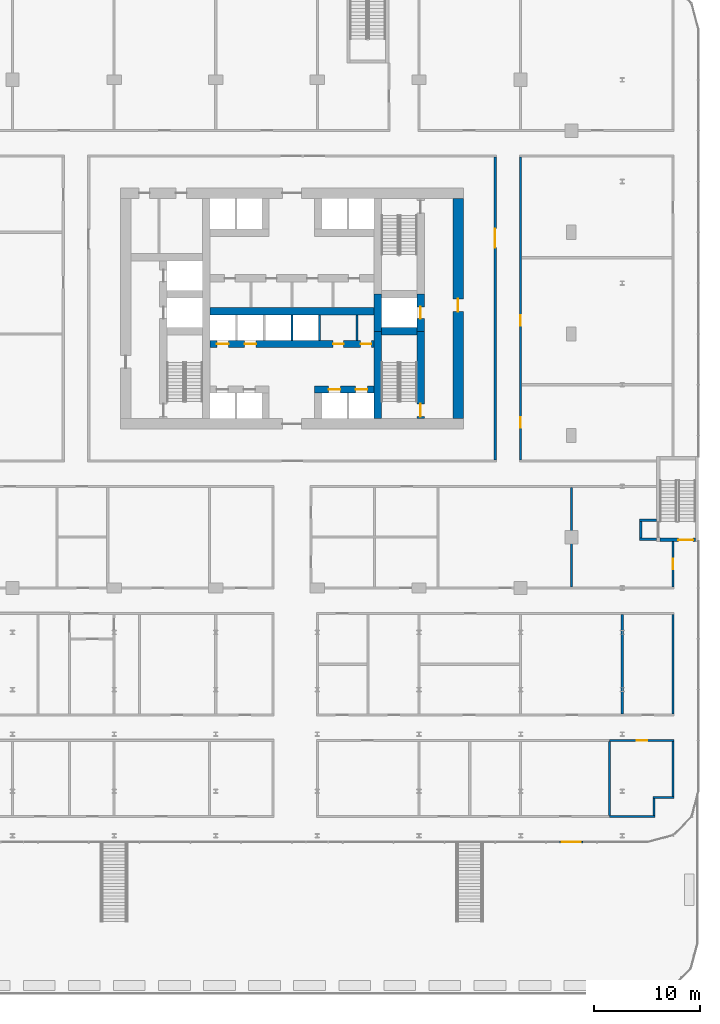
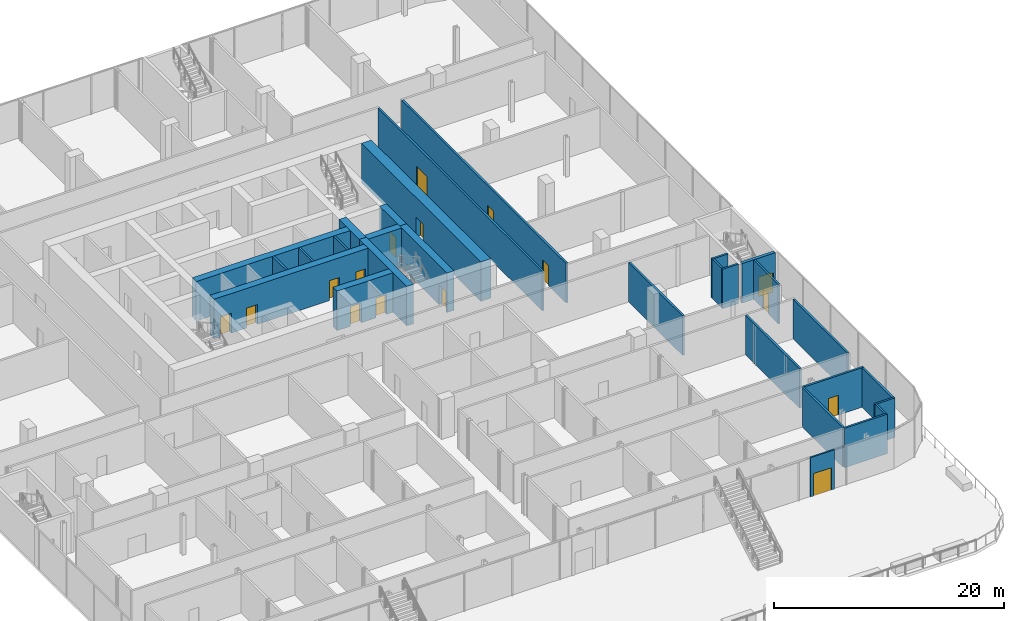
# One storey, part 32 of 43: 29 walls, 16 doors, 16 openings.
"""IFC4 building model written with IfcOpenShell, lengths in metres."""

from ifc_helpers import new_model, si_unit, direction, frame, frame_2d, origin, place, context, subcontext, project, spatial, rectangle, extrude, material, layer, layer_set, type_object, element, fill, save


model = new_model("IFC4")

# Units and contexts
model_context = context("Model", 3, precision=1e-05, world=origin(), true_north=direction((0.0, 1.0)))
body_context = subcontext(model_context, "Body", "Model", "MODEL_VIEW")
ifc_project = project(units=[si_unit("LENGTHUNIT", "METRE"), si_unit("AREAUNIT", "SQUARE_METRE"), si_unit("VOLUMEUNIT", "CUBIC_METRE"), si_unit("PLANEANGLEUNIT", "RADIAN"), si_unit("MASSUNIT", "GRAM", prefix="KILO")], contexts=[model_context])

# Site, building, storey
site_placement = place(None, origin())
site = spatial("IfcSite", under=ifc_project, at=site_placement, CompositionType="ELEMENT")
building_placement = place(site_placement, origin())
building = spatial("IfcBuilding", under=site, at=building_placement, Name="Madar Terraces", CompositionType="ELEMENT")
storey_placement = place(building_placement, frame((0.0, 0.0, 10.5)))
storey = spatial("IfcBuildingStorey", under=building, at=storey_placement, Name="L02", CompositionType="ELEMENT", Elevation=10.5)

# Walls
ifc_material_1 = material(Name="Concrete C80/95", Category="concrete")
ifc_layer_1 = layer(ifc_material_1, 0.699951171875)
ifc_layer_set_1 = layer_set([ifc_layer_1], Name="Concrete C80/95 (CIW1 RC wall 700)")
wall_type_1 = type_object("IfcWallType", Name="CIW1 RC wall 700", PredefinedType="SHEAR", material=ifc_layer_set_1)
wall_1_placement = place(storey_placement, frame((39.300048828125, 16.0, 0.0), z_axis=(0.0, 0.0, 1.0), x_axis=(0.0, 1.0, 0.0)))
element("IfcWall", 1, at=wall_1_placement, inside=storey, type_object=wall_type_1, Name="CORE SHAFT WALL", PredefinedType="SHEAR", context=body_context, shape_type="SweptSolid", body=[
    extrude(rectangle(XDim=8.25, YDim=0.699951171875, at=frame_2d((4.125, 0.0))), origin(), (0.0, 0.0, 1.0), 4.199951171875),
])
wall_2_placement = place(storey_placement, frame((39.300048828125, 24.25, 0.0), z_axis=(0.0, 0.0, 1.0), x_axis=(0.0, 1.0, 0.0)))
element("IfcWall", 2, at=wall_2_placement, inside=storey, type_object=wall_type_1, Name="CORE SHAFT WALL", PredefinedType="SHEAR", context=body_context, shape_type="SweptSolid", body=[
    extrude(rectangle(XDim=3.5, YDim=0.699951171875, at=frame_2d((1.75, 0.0))), origin(), (0.0, 0.0, 1.0), 4.199951171875),
])

# Wall, opening, door
wall_3_placement = place(storey_placement, frame((43.35009765625, 16.0, 0.0), z_axis=(0.0, 0.0, 1.0), x_axis=(0.0, 1.0, 0.0)))
wall_3 = element("IfcWall", 3, at=wall_3_placement, inside=storey, type_object=wall_type_1, Name="CORE SHAFT WALL", PredefinedType="SHEAR", context=body_context, shape_type="SweptSolid", body=[
    extrude(rectangle(XDim=8.25, YDim=0.699951171875, at=frame_2d((4.125, 0.0))), origin(), (0.0, 0.0, 1.0), 4.199951171875),
])
opening_1_placement = place(wall_3_placement, frame((0.199951171875, 0.0, 0.0)))
opening_1 = element("IfcOpeningElement", 4, at=opening_1_placement, cuts=wall_3, Name="Opening SD1", PredefinedType="OPENING", context=body_context, shape_type="SweptSolid", body=[
    extrude(rectangle(XDim=1.199951171875, YDim=2.10009765625, at=frame_2d((0.60009765625, 1.050048828125))), frame((0.0, 0.35986328125, 0.0), z_axis=(0.0, -1.0, 0.0), x_axis=(1.0, 0.0, 0.0)), (0.0, 0.0, 1.0), 0.719970703125),
])
ifc_material_2 = material(Name="Steel door leaf", Category="steel")
door_type_1 = type_object("IfcDoorType", Name="Stair door 1200 x 2100", OperationType="NOTDEFINED", PredefinedType="DOOR", material=ifc_material_2)
door_1_placement = place(opening_1_placement, origin())
door_1 = element("IfcDoor", 5, at=door_1_placement, inside=storey, type_object=door_type_1, Name="STAIR DOOR", OperationType="SINGLE_SWING_LEFT", OverallHeight=2.10009765625, OverallWidth=1.199951171875, PredefinedType="DOOR", context=body_context, shape_type="SweptSolid", body=[
    extrude(rectangle(XDim=1.199951171875, YDim=2.10009765625, at=frame_2d((0.60009765625, 1.050048828125))), frame((0.0, 0.02490234375, 0.0), z_axis=(0.0, -1.0, 0.0), x_axis=(1.0, 0.0, 0.0)), (0.0, 0.0, 1.0), 0.050048828125),
])
fill(opening_1, door_1)

wall_4_placement = place(storey_placement, frame((43.35009765625, 24.25, 0.0), z_axis=(0.0, 0.0, 1.0), x_axis=(0.0, 1.0, 0.0)))
wall_4 = element("IfcWall", 6, at=wall_4_placement, inside=storey, type_object=wall_type_1, Name="CORE SHAFT WALL", PredefinedType="SHEAR", context=body_context, shape_type="SweptSolid", body=[
    extrude(rectangle(XDim=3.5, YDim=0.699951171875, at=frame_2d((1.75, 0.0))), origin(), (0.0, 0.0, 1.0), 4.199951171875),
])
opening_2_placement = place(wall_4_placement, frame((1.199951171875, 0.0, 0.0)))
opening_2 = element("IfcOpeningElement", 7, at=opening_2_placement, cuts=wall_4, Name="Opening LD", PredefinedType="OPENING", context=body_context, shape_type="SweptSolid", body=[
    extrude(rectangle(XDim=1.10009765625, YDim=2.10009765625, at=frame_2d((0.550048828125, 1.050048828125))), frame((0.0, 0.35986328125, 0.0), z_axis=(0.0, -1.0, 0.0), x_axis=(1.0, 0.0, 0.0)), (0.0, 0.0, 1.0), 0.719970703125),
])
ifc_material_3 = material(Name="Stainless steel panel", Category="steel")
door_type_2 = type_object("IfcDoorType", Name="Lift landing door 1100 x 2100", OperationType="DOUBLE_DOOR_SLIDING", PredefinedType="DOOR", material=ifc_material_3)
door_2_placement = place(opening_2_placement, origin())
door_2 = element("IfcDoor", 8, at=door_2_placement, inside=storey, type_object=door_type_2, Name="LIFT LANDING DOOR", OperationType="DOUBLE_DOOR_SLIDING", OverallHeight=2.10009765625, OverallWidth=1.10009765625, PredefinedType="DOOR", context=body_context, shape_type="SweptSolid", body=[
    extrude(rectangle(XDim=1.10009765625, YDim=2.10009765625, at=frame_2d((0.550048828125, 1.050048828125))), frame((0.0, 0.02490234375, 0.0), z_axis=(0.0, -1.0, 0.0), x_axis=(1.0, 0.0, 0.0)), (0.0, 0.0, 1.0), 0.050048828125),
])
fill(opening_2, door_2)

# Wall
wall_5_placement = place(storey_placement, frame((39.64990234375, 24.25, 0.0), z_axis=(0.0, 0.0, 1.0), x_axis=(1.0, 0.0, 0.0)))
element("IfcWall", 9, at=wall_5_placement, inside=storey, type_object=wall_type_1, Name="CORE SHAFT WALL", PredefinedType="SHEAR", context=body_context, shape_type="SweptSolid", body=[
    extrude(rectangle(XDim=3.35009765625, YDim=0.699951171875, at=frame_2d((1.675048828125, 0.0))), origin(), (0.0, 0.0, 1.0), 4.199951171875),
])

# Wall, openings, doors
wall_6_placement = place(storey_placement, frame((33.35009765625, 18.75, 0.0), z_axis=(0.0, 0.0, 1.0), x_axis=(1.0, 0.0, 0.0)))
wall_6 = element("IfcWall", 10, at=wall_6_placement, inside=storey, type_object=wall_type_1, Name="CORE SHAFT WALL", PredefinedType="SHEAR", context=body_context, shape_type="SweptSolid", body=[
    extrude(rectangle(XDim=5.599853515625, YDim=0.699951171875, at=frame_2d((2.7998046875, 0.0))), origin(), (0.0, 0.0, 1.0), 4.199951171875),
])
opening_3_placement = place(wall_6_placement, frame((1.324951171875, 0.0, 0.0)))
opening_3 = element("IfcOpeningElement", 11, at=opening_3_placement, cuts=wall_6, Name="Opening LD", PredefinedType="OPENING", context=body_context, shape_type="SweptSolid", body=[
    extrude(rectangle(XDim=1.10009765625, YDim=2.10009765625, at=frame_2d((0.550048828125, 1.050048828125))), frame((0.0, 0.35986328125, 0.0), z_axis=(0.0, -1.0, 0.0), x_axis=(1.0, 0.0, 0.0)), (0.0, 0.0, 1.0), 0.719970703125),
])
opening_4_placement = place(wall_6_placement, frame((3.875, 0.0, 0.0)))
opening_4 = element("IfcOpeningElement", 12, at=opening_4_placement, cuts=wall_6, Name="Opening LD", PredefinedType="OPENING", context=body_context, shape_type="SweptSolid", body=[
    extrude(rectangle(XDim=1.10009765625, YDim=2.10009765625, at=frame_2d((0.550048828125, 1.050048828125))), frame((0.0, 0.35986328125, 0.0), z_axis=(0.0, -1.0, 0.0), x_axis=(1.0, 0.0, 0.0)), (0.0, 0.0, 1.0), 0.719970703125),
])
door_3_placement = place(opening_3_placement, origin())
door_3 = element("IfcDoor", 13, at=door_3_placement, inside=storey, type_object=door_type_2, Name="LIFT LANDING DOOR", OperationType="DOUBLE_DOOR_SLIDING", OverallHeight=2.10009765625, OverallWidth=1.10009765625, PredefinedType="DOOR", context=body_context, shape_type="SweptSolid", body=[
    extrude(rectangle(XDim=1.10009765625, YDim=2.10009765625, at=frame_2d((0.550048828125, 1.050048828125))), frame((0.0, 0.02490234375, 0.0), z_axis=(0.0, -1.0, 0.0), x_axis=(1.0, 0.0, 0.0)), (0.0, 0.0, 1.0), 0.050048828125),
])
fill(opening_3, door_3)
door_4_placement = place(opening_4_placement, origin())
door_4 = element("IfcDoor", 14, at=door_4_placement, inside=storey, type_object=door_type_2, Name="LIFT LANDING DOOR", OperationType="DOUBLE_DOOR_SLIDING", OverallHeight=2.10009765625, OverallWidth=1.10009765625, PredefinedType="DOOR", context=body_context, shape_type="SweptSolid", body=[
    extrude(rectangle(XDim=1.10009765625, YDim=2.10009765625, at=frame_2d((0.550048828125, 1.050048828125))), frame((0.0, 0.02490234375, 0.0), z_axis=(0.0, -1.0, 0.0), x_axis=(1.0, 0.0, 0.0)), (0.0, 0.0, 1.0), 0.050048828125),
])
fill(opening_4, door_4)

wall_7_placement = place(storey_placement, frame((23.449951171875, 23.050048828125, 0.0), z_axis=(0.0, 0.0, 1.0), x_axis=(1.0, 0.0, 0.0)))
wall_7 = element("IfcWall", 15, at=wall_7_placement, inside=storey, type_object=wall_type_1, Name="CORE SHAFT WALL", PredefinedType="SHEAR", context=body_context, shape_type="SweptSolid", body=[
    extrude(rectangle(XDim=15.5, YDim=0.699951171875, at=frame_2d((7.75, 0.0))), origin(), (0.0, 0.0, 1.0), 4.199951171875),
])
opening_5_placement = place(wall_7_placement, frame((0.658447265625, 0.0, 0.0)))
opening_5 = element("IfcOpeningElement", 16, at=opening_5_placement, cuts=wall_7, Name="Opening LD", PredefinedType="OPENING", context=body_context, shape_type="SweptSolid", body=[
    extrude(rectangle(XDim=1.10009765625, YDim=2.10009765625, at=frame_2d((0.550048828125, 1.050048828125))), frame((0.0, 0.35986328125, 0.0), z_axis=(0.0, -1.0, 0.0), x_axis=(1.0, 0.0, 0.0)), (0.0, 0.0, 1.0), 0.719970703125),
])
opening_6_placement = place(wall_7_placement, frame((3.27490234375, 0.0, 0.0)))
opening_6 = element("IfcOpeningElement", 17, at=opening_6_placement, cuts=wall_7, Name="Opening LD", PredefinedType="OPENING", context=body_context, shape_type="SweptSolid", body=[
    extrude(rectangle(XDim=1.10009765625, YDim=2.10009765625, at=frame_2d((0.550048828125, 1.050048828125))), frame((0.0, 0.35986328125, 0.0), z_axis=(0.0, -1.0, 0.0), x_axis=(1.0, 0.0, 0.0)), (0.0, 0.0, 1.0), 0.719970703125),
])
opening_7_placement = place(wall_7_placement, frame((11.6279296875, 0.0, 0.0)))
opening_7 = element("IfcOpeningElement", 18, at=opening_7_placement, cuts=wall_7, Name="Opening KD2", PredefinedType="OPENING", context=body_context, shape_type="SweptSolid", body=[
    extrude(rectangle(XDim=1.0, YDim=2.10009765625, at=frame_2d((0.5, 1.050048828125))), frame((0.0, 0.35986328125, 0.0), z_axis=(0.0, -1.0, 0.0), x_axis=(1.0, 0.0, 0.0)), (0.0, 0.0, 1.0), 0.719970703125),
])
opening_8_placement = place(wall_7_placement, frame((14.24462890625, 0.0, 0.0)))
opening_8 = element("IfcOpeningElement", 19, at=opening_8_placement, cuts=wall_7, Name="Opening KD2", PredefinedType="OPENING", context=body_context, shape_type="SweptSolid", body=[
    extrude(rectangle(XDim=1.0, YDim=2.10009765625, at=frame_2d((0.5, 1.050048828125))), frame((0.0, 0.35986328125, 0.0), z_axis=(0.0, -1.0, 0.0), x_axis=(1.0, 0.0, 0.0)), (0.0, 0.0, 1.0), 0.719970703125),
])
door_5_placement = place(opening_5_placement, origin())
door_5 = element("IfcDoor", 20, at=door_5_placement, inside=storey, type_object=door_type_2, Name="LIFT LANDING DOOR", OperationType="DOUBLE_DOOR_SLIDING", OverallHeight=2.10009765625, OverallWidth=1.10009765625, PredefinedType="DOOR", context=body_context, shape_type="SweptSolid", body=[
    extrude(rectangle(XDim=1.10009765625, YDim=2.10009765625, at=frame_2d((0.550048828125, 1.050048828125))), frame((0.0, 0.02490234375, 0.0), z_axis=(0.0, -1.0, 0.0), x_axis=(1.0, 0.0, 0.0)), (0.0, 0.0, 1.0), 0.050048828125),
])
fill(opening_5, door_5)
door_6_placement = place(opening_6_placement, origin())
door_6 = element("IfcDoor", 21, at=door_6_placement, inside=storey, type_object=door_type_2, Name="LIFT LANDING DOOR", OperationType="DOUBLE_DOOR_SLIDING", OverallHeight=2.10009765625, OverallWidth=1.10009765625, PredefinedType="DOOR", context=body_context, shape_type="SweptSolid", body=[
    extrude(rectangle(XDim=1.10009765625, YDim=2.10009765625, at=frame_2d((0.550048828125, 1.050048828125))), frame((0.0, 0.02490234375, 0.0), z_axis=(0.0, -1.0, 0.0), x_axis=(1.0, 0.0, 0.0)), (0.0, 0.0, 1.0), 0.050048828125),
])
fill(opening_6, door_6)
ifc_material_4 = material(Name="Steel door leaf", Category="steel")
door_type_3 = type_object("IfcDoorType", Name="Service room door 1000 x 2100", OperationType="NOTDEFINED", PredefinedType="DOOR", material=ifc_material_4)
door_7_placement = place(opening_7_placement, frame((1.0, 0.0, 0.0), z_axis=(0.0, 0.0, 1.0), x_axis=(-1.0, 0.0, 0.0)))
door_7 = element("IfcDoor", 22, at=door_7_placement, inside=storey, type_object=door_type_3, Name="SERVICE ROOM DOOR", OperationType="SINGLE_SWING_LEFT", OverallHeight=2.10009765625, OverallWidth=1.0, PredefinedType="DOOR", context=body_context, shape_type="SweptSolid", body=[
    extrude(rectangle(XDim=1.0, YDim=2.10009765625, at=frame_2d((0.5, 1.050048828125))), frame((0.0, 0.02490234375, 0.0), z_axis=(0.0, -1.0, 0.0), x_axis=(1.0, 0.0, 0.0)), (0.0, 0.0, 1.0), 0.050048828125),
])
fill(opening_7, door_7)
door_8_placement = place(opening_8_placement, frame((1.0, 0.0, 0.0), z_axis=(0.0, 0.0, 1.0), x_axis=(-1.0, 0.0, 0.0)))
door_8 = element("IfcDoor", 23, at=door_8_placement, inside=storey, type_object=door_type_3, Name="SERVICE ROOM DOOR", OperationType="SINGLE_SWING_RIGHT", OverallHeight=2.10009765625, OverallWidth=1.0, PredefinedType="DOOR", context=body_context, shape_type="SweptSolid", body=[
    extrude(rectangle(XDim=1.0, YDim=2.10009765625, at=frame_2d((0.5, 1.050048828125))), frame((0.0, 0.02490234375, 0.0), z_axis=(0.0, -1.0, 0.0), x_axis=(1.0, 0.0, 0.0)), (0.0, 0.0, 1.0), 0.050048828125),
])
fill(opening_8, door_8)

# Wall
wall_8_placement = place(storey_placement, frame((23.449951171875, 26.14990234375, 0.0), z_axis=(0.0, 0.0, 1.0), x_axis=(1.0, 0.0, 0.0)))
element("IfcWall", 24, at=wall_8_placement, inside=storey, type_object=wall_type_1, Name="CORE SHAFT WALL", PredefinedType="SHEAR", context=body_context, shape_type="SweptSolid", body=[
    extrude(rectangle(XDim=15.5, YDim=0.699951171875, at=frame_2d((7.75, 0.0))), origin(), (0.0, 0.0, 1.0), 4.199951171875),
])

# Wall, opening, door
ifc_material_5 = material(Name="Concrete C80/95", Category="concrete")
ifc_layer_2 = layer(ifc_material_5, 1.0)
ifc_layer_set_2 = layer_set([ifc_layer_2], Name="Concrete C80/95 (CRW1 RC wall 1000)")
wall_type_2 = type_object("IfcWallType", Name="CRW1 RC wall 1000", PredefinedType="SHEAR", material=ifc_layer_set_2)
wall_9_placement = place(storey_placement, frame((46.89990234375, 16.0, 0.0), z_axis=(0.0, 0.0, 1.0), x_axis=(0.0, 1.0, 0.0)))
wall_9 = element("IfcWall", 25, at=wall_9_placement, inside=storey, type_object=wall_type_2, Name="CORE OUTER WALL", PredefinedType="SHEAR", context=body_context, shape_type="SweptSolid", body=[
    extrude(rectangle(XDim=20.800048828125, YDim=1.0, at=frame_2d((10.39990234375, 0.0))), origin(), (0.0, 0.0, 1.0), 4.199951171875),
])
opening_9_placement = place(wall_9_placement, frame((10.10009765625, 0.0, 0.0)))
opening_9 = element("IfcOpeningElement", 26, at=opening_9_placement, cuts=wall_9, Name="Opening SD1", PredefinedType="OPENING", context=body_context, shape_type="SweptSolid", body=[
    extrude(rectangle(XDim=1.199951171875, YDim=2.10009765625, at=frame_2d((0.60009765625, 1.050048828125))), frame((0.0, 0.510009765625, 0.0), z_axis=(0.0, -1.0, 0.0), x_axis=(1.0, 0.0, 0.0)), (0.0, 0.0, 1.0), 1.02001953125),
])
door_9_placement = place(opening_9_placement, origin())
door_9 = element("IfcDoor", 27, at=door_9_placement, inside=storey, type_object=door_type_1, Name="STAIR DOOR", OperationType="SINGLE_SWING_RIGHT", OverallHeight=2.10009765625, OverallWidth=1.199951171875, PredefinedType="DOOR", context=body_context, shape_type="SweptSolid", body=[
    extrude(rectangle(XDim=1.199951171875, YDim=2.10009765625, at=frame_2d((0.60009765625, 1.050048828125))), frame((0.0, 0.02490234375, 0.0), z_axis=(0.0, -1.0, 0.0), x_axis=(1.0, 0.0, 0.0)), (0.0, 0.0, 1.0), 0.050048828125),
])
fill(opening_9, door_9)

# Walls
ifc_material_6 = material(Name="Masonry blockwork", Category="masonry")
ifc_layer_3 = layer(ifc_material_6, 0.199951171875)
ifc_layer_set_3 = layer_set([ifc_layer_3], Name="Core partition 200 blockwork")
wall_type_3 = type_object("IfcWallType", Name="Core partition 200 blockwork", PredefinedType="PARTITIONING", material=ifc_layer_set_3)
wall_10_placement = place(storey_placement, frame((37.33935546875, 23.39990234375, 0.0), z_axis=(0.0, 0.0, 1.0), x_axis=(0.0, 1.0, 0.0)))
element("IfcWall", 28, at=wall_10_placement, inside=storey, type_object=wall_type_3, Name="SERVICE ROOM PARTITION", PredefinedType="PARTITIONING", context=body_context, shape_type="SweptSolid", body=[
    extrude(rectangle(XDim=2.400146484375, YDim=0.199951171875, at=frame_2d((1.2001953125, 0.0))), origin(), (0.0, 0.0, 1.0), 4.199951171875),
])
ifc_material_7 = material(Name="Concrete C40/50", Category="concrete")
ifc_layer_4 = layer(ifc_material_7, 0.199951171875)
ifc_layer_set_4 = layer_set([ifc_layer_4], Name="Core shaft dividing wall 200 C40/50")
wall_type_4 = type_object("IfcWallType", Name="Core shaft dividing wall 200 C40/50", PredefinedType="SOLIDWALL", material=ifc_layer_set_4)
for number, where, z_axis, x_axis, name in (
    (29, (31.199951171875, 23.39990234375, 0.0), (0.0, 0.0, 1.0), (0.0, 1.0, 0.0), "SHAFT DIVIDING WALL"),
    (30, (33.816650390625, 23.39990234375, 0.0), (0.0, 0.0, 1.0), (0.0, 1.0, 0.0), "SHAFT DIVIDING WALL"),
):
    element("IfcWall", number, at=place(storey_placement, frame(where, z_axis=z_axis, x_axis=x_axis)), inside=storey, type_object=wall_type_4, Name=name, PredefinedType="SOLIDWALL", context=body_context, shape_type="SweptSolid", body=[
        extrude(rectangle(XDim=2.400146484375, YDim=0.199951171875, at=frame_2d((1.2001953125, 0.0))), origin(), (0.0, 0.0, 1.0), 4.199951171875),
    ])

# Wall, opening, door
ifc_material_8 = material(Name="Aluminium composite panel, black, over insulated backing", Category="aluminium")
ifc_layer_5 = layer(ifc_material_8, 0.14990234375)
ifc_layer_set_5 = layer_set([ifc_layer_5], Name="Facade bay panel 150")
wall_type_5 = type_object("IfcWallType", Name="Facade bay panel 150", PredefinedType="SOLIDWALL", material=ifc_layer_set_5)
wall_11_placement = place(storey_placement, frame((56.39990234375, -24.0, 0.0), z_axis=(0.0, 0.0, 1.0), x_axis=(1.0, 0.0, 0.0)))
wall_11 = element("IfcWall", 31, at=wall_11_placement, inside=storey, type_object=wall_type_5, Name="Facade bay panel", PredefinedType="SOLIDWALL", context=body_context, shape_type="SweptSolid", body=[
    extrude(rectangle(XDim=2.400146484375, YDim=0.14990234375, at=frame_2d((1.2001953125, 0.0))), origin(), (0.0, 0.0, 1.0), 4.199951171875),
])
opening_10_placement = place(wall_11_placement, frame((0.300048828125, 0.0, 0.0)))
opening_10 = element("IfcOpeningElement", 32, at=opening_10_placement, cuts=wall_11, Name="Opening ED1", PredefinedType="OPENING", context=body_context, shape_type="SweptSolid", body=[
    extrude(rectangle(XDim=1.800048828125, YDim=2.39990234375, at=frame_2d((0.89990234375, 1.199951171875))), frame((0.0, 0.0849609375, 0.0), z_axis=(0.0, -1.0, 0.0), x_axis=(1.0, 0.0, 0.0)), (0.0, 0.0, 1.0), 0.169921875),
])
ifc_material_9 = material(Name="Glass, clear, with black aluminium frame", Category="aluminium")
door_type_4 = type_object("IfcDoorType", Name="Balcony and terrace sliding door 1800 x 2400", OperationType="SLIDING_TO_LEFT", PredefinedType="DOOR", material=ifc_material_9)
door_10_placement = place(opening_10_placement, origin())
door_10 = element("IfcDoor", 33, at=door_10_placement, inside=storey, type_object=door_type_4, Name="Balcony door", OperationType="SLIDING_TO_LEFT", OverallHeight=2.39990234375, OverallWidth=1.800048828125, PredefinedType="DOOR", context=body_context, shape_type="SweptSolid", body=[
    extrude(rectangle(XDim=1.800048828125, YDim=2.39990234375, at=frame_2d((0.89990234375, 1.199951171875))), frame((0.0, 0.02490234375, 0.0), z_axis=(0.0, -1.0, 0.0), x_axis=(1.0, 0.0, 0.0)), (0.0, 0.0, 1.0), 0.050048828125),
])
fill(opening_10, door_10)

# Walls
ifc_material_10 = material(Name="Blockwork", Category="masonry")
ifc_layer_6 = layer(ifc_material_10, 0.199951171875)
ifc_layer_set_6 = layer_set([ifc_layer_6], Name="Partition 200 EI 120")
wall_type_6 = type_object("IfcWallType", Name="Partition 200 EI 120", PredefinedType="PARTITIONING", material=ifc_layer_set_6)
wall_12_placement = place(storey_placement, frame((61.199951171875, -21.60009765625, 0.0), z_axis=(0.0, 0.0, 1.0), x_axis=(1.0, 0.0, 0.0)))
element("IfcWall", 34, at=wall_12_placement, inside=storey, type_object=wall_type_6, Name="Wall COMMS ROOM / PODIUM CORRIDOR", PredefinedType="PARTITIONING", context=body_context, shape_type="SweptSolid", body=[
    extrude(rectangle(XDim=4.300048828125, YDim=0.199951171875, at=frame_2d((2.14990234375, 0.0))), origin(), (0.0, 0.0, 1.0), 4.199951171875),
])
wall_13_placement = place(storey_placement, frame((65.300048828125, -19.800048828125, 0.0), z_axis=(0.0, 0.0, 1.0), x_axis=(1.0, 0.0, 0.0)))
element("IfcWall", 35, at=wall_13_placement, inside=storey, type_object=wall_type_6, Name="Wall COMMS ROOM / PODIUM CORRIDOR", PredefinedType="PARTITIONING", context=body_context, shape_type="SweptSolid", body=[
    extrude(rectangle(XDim=2.0, YDim=0.199951171875, at=frame_2d((1.0, 0.0))), origin(), (0.0, 0.0, 1.0), 4.199951171875),
])

# Wall, opening, door
wall_14_placement = place(storey_placement, frame((67.300048828125, -14.39990234375, 0.0), z_axis=(0.0, 0.0, 1.0), x_axis=(-1.0, 0.0, 0.0)))
wall_14 = element("IfcWall", 36, at=wall_14_placement, inside=storey, type_object=wall_type_6, Name="Wall COMMS ROOM / PODIUM CORRIDOR", PredefinedType="PARTITIONING", context=body_context, shape_type="SweptSolid", body=[
    extrude(rectangle(XDim=6.10009765625, YDim=0.199951171875, at=frame_2d((3.050048828125, 0.0))), origin(), (0.0, 0.0, 1.0), 4.199951171875),
])
opening_11_placement = place(wall_14_placement, frame((2.550048828125, 0.0, 0.0)))
opening_11 = element("IfcOpeningElement", 37, at=opening_11_placement, cuts=wall_14, Name="Opening D33", PredefinedType="OPENING", context=body_context, shape_type="SweptSolid", body=[
    extrude(rectangle(XDim=1.0, YDim=2.10009765625, at=frame_2d((0.5, 1.050048828125))), frame((0.0, 0.10986328125, 0.0), z_axis=(0.0, -1.0, 0.0), x_axis=(1.0, 0.0, 0.0)), (0.0, 0.0, 1.0), 0.219970703125),
])
ifc_material_11 = material(Name="Timber door leaf, fire-rated", Category="wood")
door_type_5 = type_object("IfcDoorType", Name="Podium door 1000 x 2100 FD90S", OperationType="NOTDEFINED", PredefinedType="DOOR", material=ifc_material_11)
door_11_placement = place(opening_11_placement, origin())
door_11 = element("IfcDoor", 38, at=door_11_placement, inside=storey, type_object=door_type_5, Name="Door COMMS ROOM / PODIUM CORRIDOR", OperationType="SINGLE_SWING_RIGHT", OverallHeight=2.10009765625, OverallWidth=1.0, PredefinedType="DOOR", context=body_context, shape_type="SweptSolid", body=[
    extrude(rectangle(XDim=1.0, YDim=2.10009765625, at=frame_2d((0.5, 1.050048828125))), frame((0.0, 0.02490234375, 0.0), z_axis=(0.0, -1.0, 0.0), x_axis=(1.0, 0.0, 0.0)), (0.0, 0.0, 1.0), 0.050048828125),
])
fill(opening_11, door_11)

# Walls
wall_15_placement = place(storey_placement, frame((61.199951171875, -21.5, 0.0), z_axis=(0.0, 0.0, 1.0), x_axis=(0.0, 1.0, 0.0)))
element("IfcWall", 39, at=wall_15_placement, inside=storey, type_object=wall_type_6, Name="Wall RECORDS STORE / COMMS ROOM", PredefinedType="PARTITIONING", context=body_context, shape_type="SweptSolid", body=[
    extrude(rectangle(XDim=7.0, YDim=0.199951171875, at=frame_2d((3.5, 0.0))), origin(), (0.0, 0.0, 1.0), 4.199951171875),
])
wall_16_placement = place(storey_placement, frame((65.39990234375, -21.5, 0.0), z_axis=(0.0, 0.0, 1.0), x_axis=(0.0, 1.0, 0.0)))
element("IfcWall", 40, at=wall_16_placement, inside=storey, type_object=wall_type_6, Name="Wall COMMS ROOM / PODIUM CORRIDOR", PredefinedType="PARTITIONING", context=body_context, shape_type="SweptSolid", body=[
    extrude(rectangle(XDim=1.60009765625, YDim=0.199951171875, at=frame_2d((0.800048828125, 0.0))), origin(), (0.0, 0.0, 1.0), 4.199951171875),
])
wall_17_placement = place(storey_placement, frame((67.199951171875, -19.699951171875, 0.0), z_axis=(0.0, 0.0, 1.0), x_axis=(0.0, 1.0, 0.0)))
element("IfcWall", 41, at=wall_17_placement, inside=storey, type_object=wall_type_6, Name="Wall COMMS ROOM / PODIUM CORRIDOR", PredefinedType="PARTITIONING", context=body_context, shape_type="SweptSolid", body=[
    extrude(rectangle(XDim=5.199951171875, YDim=0.199951171875, at=frame_2d((2.60009765625, 0.0))), origin(), (0.0, 0.0, 1.0), 4.199951171875),
])
ifc_material_12 = material(Name="Gypsum board partition, fire-rated")
ifc_layer_7 = layer(ifc_material_12, 0.199951171875)
ifc_layer_set_7 = layer_set([ifc_layer_7], Name="Partition 200 EI 60")
wall_type_7 = type_object("IfcWallType", Name="Partition 200 EI 60", PredefinedType="PARTITIONING", material=ifc_layer_set_7)
for number, where, z_axis, x_axis, name in (
    (42, (64.050048828125, 4.60009765625, 0.0), (0.0, 0.0, 1.0), (1.0, 0.0, 0.0), "Wall PHYSIOTHERAPY ROOM / PODIUM CORRIDOR"),
    (43, (64.050048828125, 6.39990234375, 0.0), (0.0, 0.0, 1.0), (1.0, 0.0, 0.0), "Wall PHYSIOTHERAPY ROOM / PODIUM CORRIDOR"),
):
    element("IfcWall", number, at=place(storey_placement, frame(where, z_axis=z_axis, x_axis=x_axis)), inside=storey, type_object=wall_type_7, Name=name, PredefinedType="PARTITIONING", context=body_context, shape_type="SweptSolid", body=[
        extrude(rectangle(XDim=1.599853515625, YDim=0.199951171875, at=frame_2d((0.7998046875, 0.0))), origin(), (0.0, 0.0, 1.0), 4.199951171875),
    ])

# Wall, opening, door
wall_18_placement = place(storey_placement, frame((50.39990234375, 12.10009765625, 0.0), z_axis=(0.0, 0.0, 1.0), x_axis=(0.0, 1.0, 0.0)))
wall_18 = element("IfcWall", 44, at=wall_18_placement, inside=storey, type_object=wall_type_7, Name="Wall PODIUM CORRIDOR / RING CORRIDOR", PredefinedType="PARTITIONING", context=body_context, shape_type="SweptSolid", body=[
    extrude(rectangle(XDim=28.599853515625, YDim=0.199951171875, at=frame_2d((14.2998046875, 0.0))), origin(), (0.0, 0.0, 1.0), 4.199951171875),
])
opening_12_placement = place(wall_18_placement, frame((20.050048828125, 0.0, 0.0)))
opening_12 = element("IfcOpeningElement", 45, at=opening_12_placement, cuts=wall_18, Name="Opening D30", PredefinedType="OPENING", context=body_context, shape_type="SweptSolid", body=[
    extrude(rectangle(XDim=1.800048828125, YDim=2.10009765625, at=frame_2d((0.89990234375, 1.050048828125))), frame((0.0, 0.10986328125, 0.0), z_axis=(0.0, -1.0, 0.0), x_axis=(1.0, 0.0, 0.0)), (0.0, 0.0, 1.0), 0.219970703125),
])
ifc_material_13 = material(Name="Timber door leaf, fire-rated", Category="wood")
door_type_6 = type_object("IfcDoorType", Name="Podium double door 1800 x 2100 FD30S", OperationType="DOUBLE_DOOR_SINGLE_SWING", PredefinedType="DOOR", material=ifc_material_13)
door_12_placement = place(opening_12_placement, origin())
door_12 = element("IfcDoor", 46, at=door_12_placement, inside=storey, type_object=door_type_6, Name="Door PODIUM CORRIDOR / RING CORRIDOR", OperationType="DOUBLE_DOOR_SINGLE_SWING", OverallHeight=2.10009765625, OverallWidth=1.800048828125, PredefinedType="DOOR", context=body_context, shape_type="SweptSolid", body=[
    extrude(rectangle(XDim=1.800048828125, YDim=2.10009765625, at=frame_2d((0.89990234375, 1.050048828125))), frame((0.0, 0.02490234375, 0.0), z_axis=(0.0, -1.0, 0.0), x_axis=(1.0, 0.0, 0.0)), (0.0, 0.0, 1.0), 0.050048828125),
])
fill(opening_12, door_12)

# Wall, openings, doors
wall_19_placement = place(storey_placement, frame((52.800048828125, 40.699951171875, 0.0), z_axis=(0.0, 0.0, 1.0), x_axis=(0.0, -1.0, 0.0)))
wall_19 = element("IfcWall", 47, at=wall_19_placement, inside=storey, type_object=wall_type_7, Name="Wall CLEANERS STORE + OFFICE", PredefinedType="PARTITIONING", context=body_context, shape_type="SweptSolid", body=[
    extrude(rectangle(XDim=28.599853515625, YDim=0.199951171875, at=frame_2d((14.2998046875, 0.0))), origin(), (0.0, 0.0, 1.0), 4.199951171875),
])
opening_13_placement = place(wall_19_placement, frame((24.550048828125, 0.0, 0.0)))
opening_13 = element("IfcOpeningElement", 48, at=opening_13_placement, cuts=wall_19, Name="Opening D31", PredefinedType="OPENING", context=body_context, shape_type="SweptSolid", body=[
    extrude(rectangle(XDim=1.0, YDim=2.10009765625, at=frame_2d((0.5, 1.050048828125))), frame((0.0, 0.10986328125, 0.0), z_axis=(0.0, -1.0, 0.0), x_axis=(1.0, 0.0, 0.0)), (0.0, 0.0, 1.0), 0.219970703125),
])
opening_14_placement = place(wall_19_placement, frame((14.949951171875, 0.0, 0.0)))
opening_14 = element("IfcOpeningElement", 49, at=opening_14_placement, cuts=wall_19, Name="Opening D31", PredefinedType="OPENING", context=body_context, shape_type="SweptSolid", body=[
    extrude(rectangle(XDim=1.0, YDim=2.10009765625, at=frame_2d((0.5, 1.050048828125))), frame((0.0, 0.10986328125, 0.0), z_axis=(0.0, -1.0, 0.0), x_axis=(1.0, 0.0, 0.0)), (0.0, 0.0, 1.0), 0.219970703125),
])
ifc_material_14 = material(Name="Timber door leaf, fire-rated", Category="wood")
door_type_7 = type_object("IfcDoorType", Name="Podium door 1000 x 2100 FD30S", OperationType="NOTDEFINED", PredefinedType="DOOR", material=ifc_material_14)
door_13_placement = place(opening_13_placement, origin())
door_13 = element("IfcDoor", 50, at=door_13_placement, inside=storey, type_object=door_type_7, Name="Door STAFF ROOM / PODIUM CORRIDOR", OperationType="SINGLE_SWING_RIGHT", OverallHeight=2.10009765625, OverallWidth=1.0, PredefinedType="DOOR", context=body_context, shape_type="SweptSolid", body=[
    extrude(rectangle(XDim=1.0, YDim=2.10009765625, at=frame_2d((0.5, 1.050048828125))), frame((0.0, 0.02490234375, 0.0), z_axis=(0.0, -1.0, 0.0), x_axis=(1.0, 0.0, 0.0)), (0.0, 0.0, 1.0), 0.050048828125),
])
fill(opening_13, door_13)
door_14_placement = place(opening_14_placement, origin())
door_14 = element("IfcDoor", 51, at=door_14_placement, inside=storey, type_object=door_type_7, Name="Door OFFICE / PODIUM CORRIDOR", OperationType="SINGLE_SWING_LEFT", OverallHeight=2.10009765625, OverallWidth=1.0, PredefinedType="DOOR", context=body_context, shape_type="SweptSolid", body=[
    extrude(rectangle(XDim=1.0, YDim=2.10009765625, at=frame_2d((0.5, 1.050048828125))), frame((0.0, 0.02490234375, 0.0), z_axis=(0.0, -1.0, 0.0), x_axis=(1.0, 0.0, 0.0)), (0.0, 0.0, 1.0), 0.050048828125),
])
fill(opening_14, door_14)

# Walls
for number, where, z_axis, x_axis, name in (
    (52, (57.60009765625, 0.10009765625, 0.0), (0.0, 0.0, 1.0), (0.0, 1.0, 0.0), "Wall TREATMENT ROOM / PHYSIOTHERAPY ROOM"),
    (53, (62.39990234375, -11.89990234375, 0.0), (0.0, 0.0, 1.0), (0.0, 1.0, 0.0), "Wall TREATMENT ROOM / STAFF ROOM"),
):
    element("IfcWall", number, at=place(storey_placement, frame(where, z_axis=z_axis, x_axis=x_axis)), inside=storey, type_object=wall_type_7, Name=name, PredefinedType="PARTITIONING", context=body_context, shape_type="SweptSolid", body=[
        extrude(rectangle(XDim=9.39990234375, YDim=0.199951171875, at=frame_2d((4.699951171875, 0.0))), origin(), (0.0, 0.0, 1.0), 4.199951171875),
    ])
wall_20_placement = place(storey_placement, frame((64.14990234375, 4.699951171875, 0.0), z_axis=(0.0, 0.0, 1.0), x_axis=(0.0, 1.0, 0.0)))
element("IfcWall", 54, at=wall_20_placement, inside=storey, type_object=wall_type_7, Name="Wall PHYSIOTHERAPY ROOM / PODIUM CORRIDOR", PredefinedType="PARTITIONING", context=body_context, shape_type="SweptSolid", body=[
    extrude(rectangle(XDim=1.60009765625, YDim=0.199951171875, at=frame_2d((0.800048828125, 0.0))), origin(), (0.0, 0.0, 1.0), 4.199951171875),
])
wall_21_placement = place(storey_placement, frame((67.199951171875, -11.89990234375, 0.0), z_axis=(0.0, 0.0, 1.0), x_axis=(0.0, 1.0, 0.0)))
element("IfcWall", 55, at=wall_21_placement, inside=storey, type_object=wall_type_7, Name="Wall STAFF ROOM / PODIUM CORRIDOR", PredefinedType="PARTITIONING", context=body_context, shape_type="SweptSolid", body=[
    extrude(rectangle(XDim=9.39990234375, YDim=0.199951171875, at=frame_2d((4.699951171875, 0.0))), origin(), (0.0, 0.0, 1.0), 4.199951171875),
])

# Wall, opening, door
wall_22_placement = place(storey_placement, frame((67.199951171875, 0.10009765625, 0.0), z_axis=(0.0, 0.0, 1.0), x_axis=(0.0, 1.0, 0.0)))
wall_22 = element("IfcWall", 56, at=wall_22_placement, inside=storey, type_object=wall_type_7, Name="Wall PHYSIOTHERAPY ROOM / PODIUM CORRIDOR", PredefinedType="PARTITIONING", context=body_context, shape_type="SweptSolid", body=[
    extrude(rectangle(XDim=4.2998046875, YDim=0.199951171875, at=frame_2d((2.14990234375, 0.0))), origin(), (0.0, 0.0, 1.0), 4.199951171875),
])
opening_15_placement = place(wall_22_placement, frame((1.64990234375, 0.0, 0.0)))
opening_15 = element("IfcOpeningElement", 57, at=opening_15_placement, cuts=wall_22, Name="Opening D31", PredefinedType="OPENING", context=body_context, shape_type="SweptSolid", body=[
    extrude(rectangle(XDim=1.0, YDim=2.10009765625, at=frame_2d((0.5, 1.050048828125))), frame((0.0, 0.10986328125, 0.0), z_axis=(0.0, -1.0, 0.0), x_axis=(1.0, 0.0, 0.0)), (0.0, 0.0, 1.0), 0.219970703125),
])
door_15_placement = place(opening_15_placement, origin())
door_15 = element("IfcDoor", 58, at=door_15_placement, inside=storey, type_object=door_type_7, Name="Door PHYSIOTHERAPY ROOM / PODIUM CORRIDOR", OperationType="SINGLE_SWING_LEFT", OverallHeight=2.10009765625, OverallWidth=1.0, PredefinedType="DOOR", context=body_context, shape_type="SweptSolid", body=[
    extrude(rectangle(XDim=1.0, YDim=2.10009765625, at=frame_2d((0.5, 1.050048828125))), frame((0.0, 0.02490234375, 0.0), z_axis=(0.0, -1.0, 0.0), x_axis=(1.0, 0.0, 0.0)), (0.0, 0.0, 1.0), 0.050048828125),
])
fill(opening_15, door_15)

ifc_material_15 = material(Name="Concrete C40/50", Category="concrete")
ifc_layer_8 = layer(ifc_material_15, 0.300048828125)
ifc_layer_set_8 = layer_set([ifc_layer_8], Name="Podium stair wall 300 C40/50")
wall_type_8 = type_object("IfcWallType", Name="Podium stair wall 300 C40/50", PredefinedType="SOLIDWALL", material=ifc_layer_set_8)
wall_23_placement = place(storey_placement, frame((65.949951171875, 4.550048828125, 0.0), z_axis=(0.0, 0.0, 1.0), x_axis=(1.0, 0.0, 0.0)))
wall_23 = element("IfcWall", 59, at=wall_23_placement, inside=storey, type_object=wall_type_8, Name="PODIUM STAIR WALL", PredefinedType="SOLIDWALL", context=body_context, shape_type="SweptSolid", body=[
    extrude(rectangle(XDim=3.35009765625, YDim=0.300048828125, at=frame_2d((1.675048828125, 0.0))), origin(), (0.0, 0.0, 1.0), 4.199951171875),
])
opening_16_placement = place(wall_23_placement, frame((1.75, 0.0, 0.0)))
opening_16 = element("IfcOpeningElement", 60, at=opening_16_placement, cuts=wall_23, Name="Opening PSD1", PredefinedType="OPENING", context=body_context, shape_type="SweptSolid", body=[
    extrude(rectangle(XDim=1.39990234375, YDim=2.10009765625, at=frame_2d((0.699951171875, 1.050048828125))), frame((0.0, 0.159912109375, 0.0), z_axis=(0.0, -1.0, 0.0), x_axis=(1.0, 0.0, 0.0)), (0.0, 0.0, 1.0), 0.320068359375),
])
ifc_material_16 = material(Name="Steel door leaf", Category="steel")
door_type_8 = type_object("IfcDoorType", Name="Podium stair door pair 1400 x 2100", OperationType="DOUBLE_DOOR_SINGLE_SWING", PredefinedType="DOOR", material=ifc_material_16)
door_16_placement = place(opening_16_placement, origin())
door_16 = element("IfcDoor", 61, at=door_16_placement, inside=storey, type_object=door_type_8, Name="STAIR DOOR", OperationType="DOUBLE_DOOR_SINGLE_SWING", OverallHeight=2.10009765625, OverallWidth=1.39990234375, PredefinedType="DOOR", context=body_context, shape_type="SweptSolid", body=[
    extrude(rectangle(XDim=1.39990234375, YDim=2.10009765625, at=frame_2d((0.699951171875, 1.050048828125))), frame((0.0, 0.02490234375, 0.0), z_axis=(0.0, -1.0, 0.0), x_axis=(1.0, 0.0, 0.0)), (0.0, 0.0, 1.0), 0.050048828125),
])
fill(opening_16, door_16)

save(model, "model.ifc")
